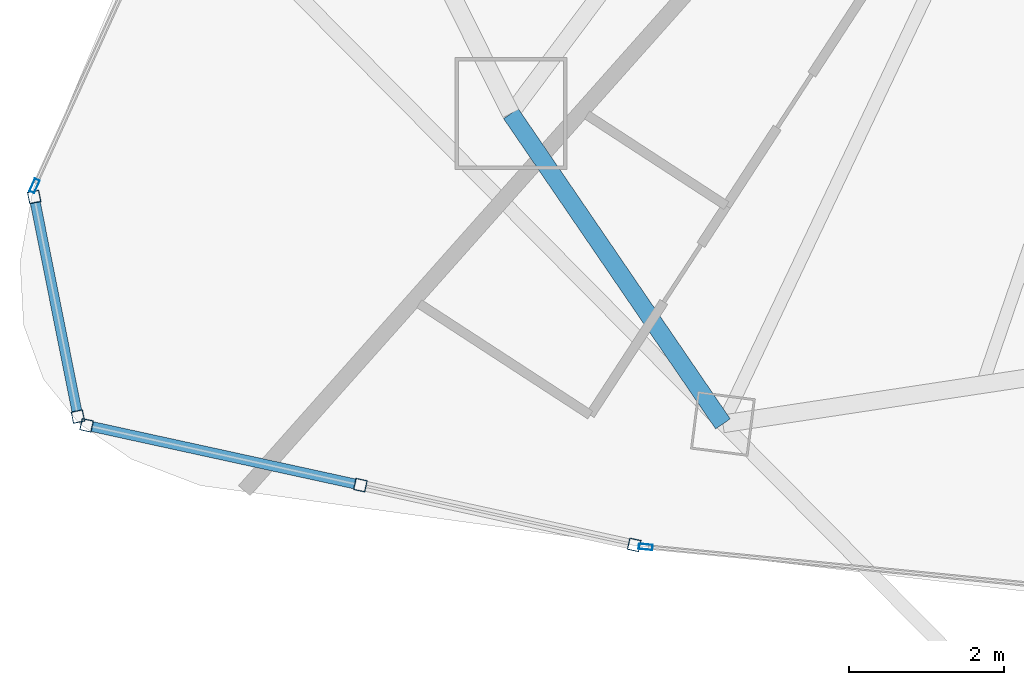
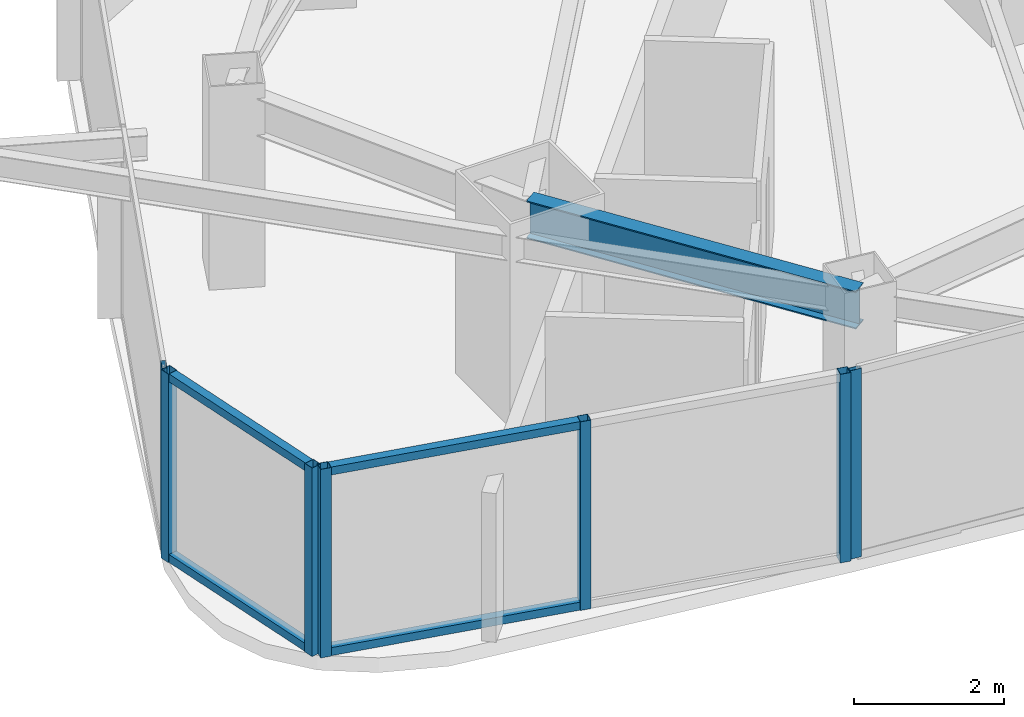
# One storey, part 2 of 31: 11 members, 1 beam, 4 elements without a shape of their own.
"""IFC4 building model written with IfcOpenShell, lengths in metres."""

from ifc_helpers import new_model, si_unit, direction, frame, origin, origin_2d, place, context, subcontext, project, spatial, hollow_rectangle, i_section, extrude, material, layer, layer_set, material_profile, profile_set, type_object, element, aggregate, save


model = new_model("IFC4")

# Units and contexts
model_context = context("Model", 3, precision=1e-05, world=origin(), true_north=direction((0.0, 1.0)))
body_context = subcontext(model_context, "Body", "Model", "MODEL_VIEW")
ifc_project = project(units=[si_unit("LENGTHUNIT", "METRE"), si_unit("AREAUNIT", "SQUARE_METRE"), si_unit("VOLUMEUNIT", "CUBIC_METRE"), si_unit("PLANEANGLEUNIT", "RADIAN"), si_unit("MASSUNIT", "GRAM", prefix="KILO")], contexts=[model_context])

# Site, building, storey
site_placement = place(None, origin())
site = spatial("IfcSite", under=ifc_project, at=site_placement, CompositionType="ELEMENT")
building_placement = place(site_placement, origin())
building = spatial("IfcBuilding", under=site, at=building_placement, Name="Orvanel Arch Residences", CompositionType="ELEMENT")
storey_placement = place(building_placement, frame((0.0, 0.0, 150.64990234375)))
storey = spatial("IfcBuildingStorey", under=building, at=storey_placement, Name="L42", CompositionType="ELEMENT", Elevation=150.64990234375)

# Curtain wall, members
ifc_material_1 = material(Name="Bronze-anodised aluminium AA6063-T6", Category="aluminium")
ifc_layer_1 = layer(ifc_material_1, 0.18994140625)
ifc_layer_set_1 = layer_set([ifc_layer_1], Name="Bronze-anodised aluminium AA6063-T6")
curtain_wall_type_1 = type_object("IfcCurtainWallType", Name="CW5-CRN-SYS", PredefinedType="NOTDEFINED", material=ifc_layer_set_1)
curtain_wall_1_placement = place(storey_placement, origin())
curtain_wall_1 = element("IfcCurtainWall", 1, at=curtain_wall_1_placement, inside=storey, type_object=curtain_wall_type_1, Name="L42 CW5-CRN-SYS Unitised Curtain Wall", PredefinedType="NOTDEFINED")
ifc_material_profile_1 = material_profile(ifc_material_1, hollow_rectangle(XDim=0.14990234375, YDim=0.14990234375, WallThickness=0.0048828125, at=origin_2d()), Name="ALU150x150x5")
ifc_profile_set_1 = profile_set([ifc_material_profile_1], Name="Bronze-anodised aluminium AA6063-T6")
member_type_1 = type_object("IfcMemberType", Name="MUL-150x150", PredefinedType="MULLION", material=ifc_profile_set_1)
member_1_placement = place(storey_placement, frame((8.03466796875, 9.2734375, 0.0), z_axis=(0.0, 0.0, 1.0), x_axis=(0.980731921459, 0.195358384081, 0.0)))
member_1 = element("IfcMember", 2, at=member_1_placement, type_object=member_type_1, Name="CW-S5 mullion 1", PredefinedType="MULLION", context=body_context, shape_type="SweptSolid", body=[
    extrude(hollow_rectangle(XDim=0.14990234375, YDim=0.14990234375, WallThickness=0.0048828125, at=origin_2d()), origin(), (0.0, 0.0, 1.0), 3.06005859375),
])
member_2_placement = place(storey_placement, frame((8.600341796875, 6.43359375, 0.0), z_axis=(0.0, 0.0, 1.0), x_axis=(0.980731921459, 0.195358384081, 0.0)))
member_2 = element("IfcMember", 3, at=member_2_placement, type_object=member_type_1, Name="CW-S5 mullion 2", PredefinedType="MULLION", context=body_context, shape_type="SweptSolid", body=[
    extrude(hollow_rectangle(XDim=0.14990234375, YDim=0.14990234375, WallThickness=0.0048828125, at=origin_2d()), origin(), (0.0, 0.0, 1.0), 3.06005859375),
])

curtain_wall_2_placement = place(storey_placement, origin())
curtain_wall_2 = element("IfcCurtainWall", 4, at=curtain_wall_2_placement, inside=storey, type_object=curtain_wall_type_1, Name="L42 CW5-CRN-SYS Unitised Curtain Wall", PredefinedType="NOTDEFINED")
member_3_placement = place(storey_placement, frame((8.712158203125, 6.320068359375, 0.0), z_axis=(0.0, 0.0, 1.0), x_axis=(0.213293752637, 0.976988114097, 0.0)))
member_3 = element("IfcMember", 5, at=member_3_placement, type_object=member_type_1, Name="CW-S5 mullion 1", PredefinedType="MULLION", context=body_context, shape_type="SweptSolid", body=[
    extrude(hollow_rectangle(XDim=0.14990234375, YDim=0.14990234375, WallThickness=0.0048828125, at=origin_2d()), origin(), (0.0, 0.0, 1.0), 3.06005859375),
])
member_4_placement = place(storey_placement, frame((12.2529296875, 5.547119140625, 0.0), z_axis=(0.0, 0.0, 1.0), x_axis=(0.213293752637, 0.976988114097, 0.0)))
member_4 = element("IfcMember", 6, at=member_4_placement, type_object=member_type_1, Name="CW-S5 mullion 2", PredefinedType="MULLION", context=body_context, shape_type="SweptSolid", body=[
    extrude(hollow_rectangle(XDim=0.14990234375, YDim=0.14990234375, WallThickness=0.0048828125, at=origin_2d()), origin(), (0.0, 0.0, 1.0), 3.06005859375),
])
member_5_placement = place(storey_placement, frame((15.793701171875, 4.77392578125, 0.0), z_axis=(0.0, 0.0, 1.0), x_axis=(0.213293752637, 0.976988114097, 0.0)))
member_5 = element("IfcMember", 7, at=member_5_placement, type_object=member_type_1, Name="CW-S5 mullion 3", PredefinedType="MULLION", context=body_context, shape_type="SweptSolid", body=[
    extrude(hollow_rectangle(XDim=0.14990234375, YDim=0.14990234375, WallThickness=0.0048828125, at=origin_2d()), origin(), (0.0, 0.0, 1.0), 3.06005859375),
])

# Curtain wall, member
ifc_layer_2 = layer(ifc_material_1, 0.179931640625)
ifc_layer_set_2 = layer_set([ifc_layer_2], Name="Bronze-anodised aluminium AA6063-T6")
curtain_wall_type_2 = type_object("IfcCurtainWallType", Name="CW3-MID-SYS", PredefinedType="NOTDEFINED", material=ifc_layer_set_2)
curtain_wall_3_placement = place(storey_placement, origin())
curtain_wall_3 = element("IfcCurtainWall", 8, at=curtain_wall_3_placement, inside=storey, type_object=curtain_wall_type_2, Name="L42 CW3-MID-SYS Unitised Curtain Wall", PredefinedType="NOTDEFINED")
ifc_material_profile_2 = material_profile(ifc_material_1, hollow_rectangle(XDim=0.070068359375, YDim=0.179931640625, WallThickness=0.00439453125, at=origin_2d()), Name="ALU180x70x4.5")
ifc_profile_set_2 = profile_set([ifc_material_profile_2], Name="Bronze-anodised aluminium AA6063-T6")
member_type_2 = type_object("IfcMemberType", Name="MUL-180x70", PredefinedType="MULLION", material=ifc_profile_set_2)
member_6_placement = place(storey_placement, frame((8.03857421875, 9.4169921875, 0.0), z_axis=(0.0, 0.0, 1.0), x_axis=(0.910648730279, -0.413181425091, 0.0)))
member_6 = element("IfcMember", 9, at=member_6_placement, type_object=member_type_2, Name="CW-S3 mullion 4", PredefinedType="MULLION", context=body_context, shape_type="SweptSolid", body=[
    extrude(hollow_rectangle(XDim=0.070068359375, YDim=0.179931640625, WallThickness=0.00439453125, at=origin_2d()), origin(), (0.0, 0.0, 1.0), 3.06005859375),
])
aggregate(curtain_wall_3, [member_6])

curtain_wall_4_placement = place(storey_placement, origin())
curtain_wall_4 = element("IfcCurtainWall", 10, at=curtain_wall_4_placement, inside=storey, type_object=curtain_wall_type_2, Name="L42 CW3-MID-SYS Unitised Curtain Wall", PredefinedType="NOTDEFINED")
member_7_placement = place(storey_placement, frame((15.94189453125, 4.74853515625, 0.0), z_axis=(0.0, 0.0, 1.0), x_axis=(0.097085158831, 0.995276078249, 0.0)))
member_7 = element("IfcMember", 11, at=member_7_placement, type_object=member_type_2, Name="CW-S3 mullion 1", PredefinedType="MULLION", context=body_context, shape_type="SweptSolid", body=[
    extrude(hollow_rectangle(XDim=0.070068359375, YDim=0.179931640625, WallThickness=0.00439453125, at=origin_2d()), origin(), (0.0, 0.0, 1.0), 3.06005859375),
])
aggregate(curtain_wall_4, [member_7])

# Beam
ifc_material_2 = material(Name="Structural steel AS/NZS 3679.1 Grade 300 (300 MPa)", Category="steel")
ifc_material_profile_3 = material_profile(ifc_material_2, i_section(OverallWidth=0.22900390625, OverallDepth=0.612060546875, WebThickness=0.011962890625, FlangeThickness=0.01953125, at=origin_2d()), Name="610UB125")
ifc_profile_set_3 = profile_set([ifc_material_profile_3], Name="Structural steel AS/NZS 3679.1 Grade 300 (300 MPa)")
beam_type = type_object("IfcBeamType", Name="SP-610UB", PredefinedType="SPANDREL", material=ifc_profile_set_3)
beam_placement = place(storey_placement, frame((14.198974609375, 10.35107421875, 2.754150390625), z_axis=(0.564251579852, -0.825602903722, 0.0), x_axis=(0.825602903722, 0.564251579852, 0.0)))
element("IfcBeam", 12, at=beam_placement, inside=storey, type_object=beam_type, Name="L42 Perimeter Spandrel Beam 03", PredefinedType="SPANDREL", context=body_context, shape_type="SweptSolid", body=[
    extrude(i_section(OverallWidth=0.22900390625, OverallDepth=0.612060546875, WebThickness=0.011962890625, FlangeThickness=0.01953125, at=origin_2d()), origin(), (0.0, 0.0, 1.0), 4.859375),
])

# Member
ifc_material_profile_4 = material_profile(ifc_material_1, hollow_rectangle(XDim=0.1298828125, YDim=0.1298828125, WallThickness=0.00439453125, at=origin_2d()), Name="ALU130x130x4.5")
ifc_profile_set_4 = profile_set([ifc_material_profile_4], Name="Bronze-anodised aluminium AA6063-T6")
member_type_3 = type_object("IfcMemberType", Name="TRN-130x130", PredefinedType="USERDEFINED", material=ifc_profile_set_4)
member_8_placement = place(storey_placement, frame((8.04931640625, 9.199951171875, 0.065185546875), z_axis=(0.195346616604, -0.980734265426, 0.0), x_axis=(0.980734265426, 0.195346616604, 0.0)))
member_8 = element("IfcMember", 13, at=member_8_placement, type_object=member_type_3, Name="CW-S5 transom 1.1", ObjectType="TRANSOM", PredefinedType="USERDEFINED", context=body_context, shape_type="SweptSolid", body=[
    extrude(hollow_rectangle(XDim=0.1298828125, YDim=0.1298828125, WallThickness=0.00439453125, at=origin_2d()), origin(), (0.0, 0.0, 1.0), 2.745849609375),
])

member_9_placement = place(storey_placement, frame((8.04931640625, 9.199951171875, 2.9951171875), z_axis=(0.195346616604, -0.980734265426, 0.0), x_axis=(0.980734265426, 0.195346616604, 0.0)))
member_9 = element("IfcMember", 14, at=member_9_placement, type_object=member_type_3, Name="CW-S5 transom 1.2", ObjectType="TRANSOM", PredefinedType="USERDEFINED", context=body_context, shape_type="SweptSolid", body=[
    extrude(hollow_rectangle(XDim=0.1298828125, YDim=0.1298828125, WallThickness=0.00439453125, at=origin_2d()), origin(), (0.0, 0.0, 1.0), 2.745849609375),
])

aggregate(curtain_wall_1, [member_1, member_2, member_8, member_9])

member_10_placement = place(storey_placement, frame((8.78564453125, 6.303955078125, 0.065185546875), z_axis=(0.976988875906, -0.213290263154, 0.0), x_axis=(0.213290263154, 0.976988875906, 0.0)))
member_10 = element("IfcMember", 15, at=member_10_placement, type_object=member_type_3, Name="CW-S5 transom 1.1", ObjectType="TRANSOM", PredefinedType="USERDEFINED", context=body_context, shape_type="SweptSolid", body=[
    extrude(hollow_rectangle(XDim=0.1298828125, YDim=0.1298828125, WallThickness=0.00439453125, at=origin_2d()), origin(), (0.0, 0.0, 1.0), 3.473876953125),
])

member_11_placement = place(storey_placement, frame((8.78564453125, 6.303955078125, 2.9951171875), z_axis=(0.976988875906, -0.213290263154, 0.0), x_axis=(0.213290263154, 0.976988875906, 0.0)))
member_11 = element("IfcMember", 16, at=member_11_placement, type_object=member_type_3, Name="CW-S5 transom 1.2", ObjectType="TRANSOM", PredefinedType="USERDEFINED", context=body_context, shape_type="SweptSolid", body=[
    extrude(hollow_rectangle(XDim=0.1298828125, YDim=0.1298828125, WallThickness=0.00439453125, at=origin_2d()), origin(), (0.0, 0.0, 1.0), 3.473876953125),
])

aggregate(curtain_wall_2, [member_3, member_4, member_5, member_10, member_11])

save(model, "model.ifc")
